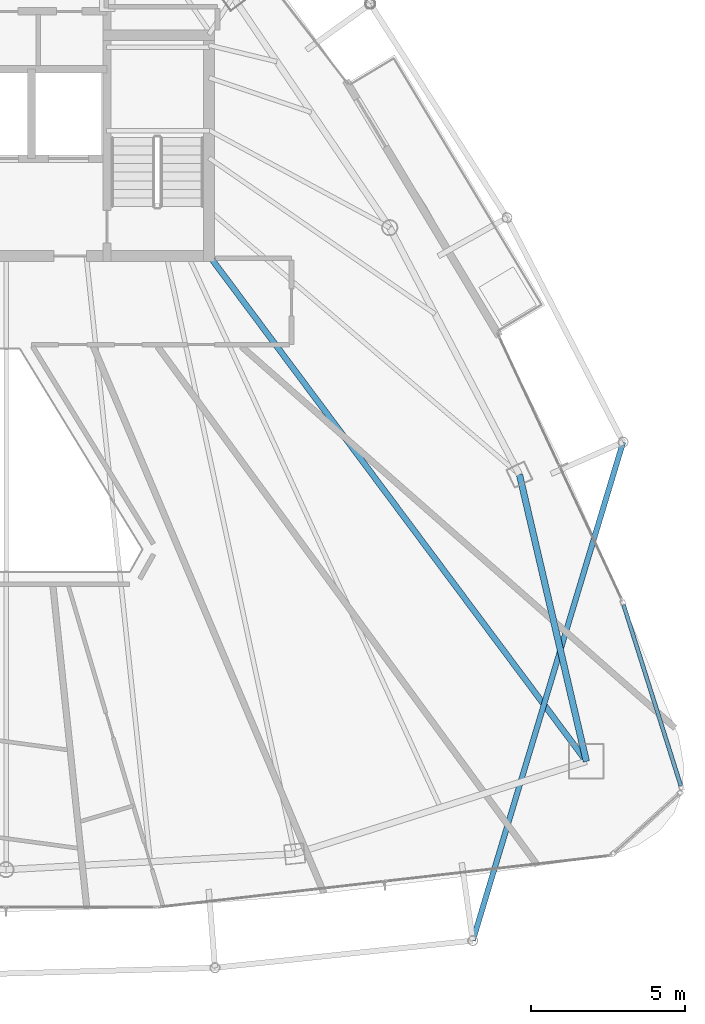
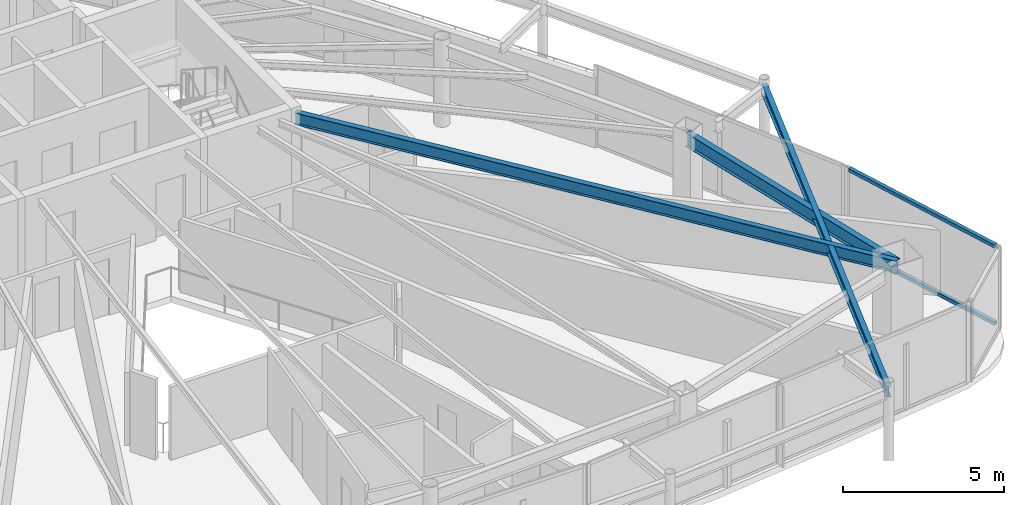
# One storey, part 15 of 28: 3 beams, 2 members, 1 element without a shape of its own.
"""IFC4 building model written with IfcOpenShell, lengths in metres."""

from ifc_helpers import new_model, si_unit, direction, frame, origin, origin_2d, place, context, subcontext, project, spatial, hollow_rectangle, i_section, extrude, material, layer, layer_set, material_profile, profile_set, type_object, element, aggregate, save


model = new_model("IFC4")

# Units and contexts
model_context = context("Model", 3, precision=1e-05, world=origin(), true_north=direction((0.0, 1.0)))
body_context = subcontext(model_context, "Body", "Model", "MODEL_VIEW")
ifc_project = project(units=[si_unit("LENGTHUNIT", "METRE"), si_unit("AREAUNIT", "SQUARE_METRE"), si_unit("VOLUMEUNIT", "CUBIC_METRE"), si_unit("PLANEANGLEUNIT", "RADIAN"), si_unit("MASSUNIT", "GRAM", prefix="KILO")], contexts=[model_context])

# Site, building, storey
site_placement = place(None, origin())
site = spatial("IfcSite", under=ifc_project, at=site_placement, CompositionType="ELEMENT")
building_placement = place(site_placement, origin())
building = spatial("IfcBuilding", under=site, at=building_placement, Name="Orvanel Arch Residences", CompositionType="ELEMENT")
storey_placement = place(building_placement, frame((0.0, 0.0, 263.449951171875)))
storey = spatial("IfcBuildingStorey", under=building, at=storey_placement, Name="L75", CompositionType="ELEMENT", Elevation=263.449951171875)

# Beams
ifc_material_1 = material(Name="Structural steel AS/NZS 3679.1 Grade 300 (300 MPa)", Category="steel")
ifc_material_profile_1 = material_profile(ifc_material_1, i_section(OverallWidth=0.19091796875, OverallDepth=0.4599609375, WebThickness=0.010009765625, FlangeThickness=0.01611328125, at=origin_2d()), Name="460UB82.1")
ifc_profile_set_1 = profile_set([ifc_material_profile_1], Name="Structural steel AS/NZS 3679.1 Grade 300 (300 MPa)")
beam_type_1 = type_object("IfcBeamType", Name="BG-460UB", PredefinedType="BEAM", material=ifc_profile_set_1)
beam_1_placement = place(storey_placement, frame((39.625, 26.675048828125, 2.830078125), z_axis=(0.597893733742, -0.801575375839, 0.0), x_axis=(0.801575375839, 0.597893733742, 0.0)))
element("IfcBeam", 1, at=beam_1_placement, inside=storey, type_object=beam_type_1, Name="L75 South-East Radial Girder", PredefinedType="BEAM", context=body_context, shape_type="SweptSolid", body=[
    extrude(i_section(OverallWidth=0.19091796875, OverallDepth=0.4599609375, WebThickness=0.010009765625, FlangeThickness=0.01611328125, at=origin_2d()), origin(), (0.0, 0.0, 1.0), 20.36474609375),
])
ifc_material_profile_2 = material_profile(ifc_material_1, i_section(OverallWidth=0.177978515625, OverallDepth=0.406005859375, WebThickness=0.0078125, FlangeThickness=0.0126953125, at=origin_2d()), Name="410UB59.7")
ifc_profile_set_2 = profile_set([ifc_material_profile_2], Name="Structural steel AS/NZS 3679.1 Grade 300 (300 MPa)")
beam_type_2 = type_object("IfcBeamType", Name="OB-410UB-EXT", PredefinedType="SPANDREL", material=ifc_profile_set_2)
beam_2_placement = place(storey_placement, frame((48.12109375, 4.5439453125, 2.85693359375), z_axis=(0.288681993316, 0.957425039747, 0.0), x_axis=(-0.957425039747, 0.288681993316, 0.0)))
element("IfcBeam", 2, at=beam_2_placement, inside=storey, type_object=beam_type_2, Name="L75 Outer Perimeter Floor Ring Beam 08", PredefinedType="SPANDREL", context=body_context, shape_type="SweptSolid", body=[
    extrude(i_section(OverallWidth=0.177978515625, OverallDepth=0.406005859375, WebThickness=0.0078125, FlangeThickness=0.0126953125, at=origin_2d()), origin(), (0.0, 0.0, 1.0), 16.869384765625),
])
ifc_material_profile_3 = material_profile(ifc_material_1, i_section(OverallWidth=0.208984375, OverallDepth=0.532958984375, WebThickness=0.01025390625, FlangeThickness=0.015625, at=origin_2d()), Name="530UB92.4")
ifc_profile_set_3 = profile_set([ifc_material_profile_3], Name="Structural steel AS/NZS 3679.1 Grade 300 (300 MPa)")
beam_type_3 = type_object("IfcBeamType", Name="SP-530UB", PredefinedType="SPANDREL", material=ifc_profile_set_3)
beam_3_placement = place(storey_placement, frame((51.801025390625, 10.35107421875, 2.79296875), z_axis=(-0.227236087167, 0.973839699688, 0.0), x_axis=(-0.973839699688, -0.227236087167, 0.0)))
element("IfcBeam", 3, at=beam_3_placement, inside=storey, type_object=beam_type_3, Name="L75 Perimeter Spandrel Beam 06", PredefinedType="SPANDREL", context=body_context, shape_type="SweptSolid", body=[
    extrude(i_section(OverallWidth=0.208984375, OverallDepth=0.532958984375, WebThickness=0.01025390625, FlangeThickness=0.015625, at=origin_2d()), origin(), (0.0, 0.0, 1.0), 9.54052734375),
])

# Curtain wall, members
ifc_material_2 = material(Name="Bronze-anodised aluminium AA6063-T6", Category="aluminium")
ifc_layer = layer(ifc_material_2, 0.18994140625)
ifc_layer_set = layer_set([ifc_layer], Name="Bronze-anodised aluminium AA6063-T6")
curtain_wall_type = type_object("IfcCurtainWallType", Name="CW5-CRN-SYS", PredefinedType="NOTDEFINED", material=ifc_layer_set)
curtain_wall_placement = place(storey_placement, origin())
curtain_wall = element("IfcCurtainWall", 4, at=curtain_wall_placement, inside=storey, type_object=curtain_wall_type, Name="L75 CW5-CRN-SYS Unitised Curtain Wall", PredefinedType="NOTDEFINED")
ifc_material_profile_4 = material_profile(ifc_material_2, hollow_rectangle(XDim=0.1298828125, YDim=0.1298828125, WallThickness=0.00439453125, at=origin_2d()), Name="ALU130x130x4.5")
ifc_profile_set_4 = profile_set([ifc_material_profile_4], Name="Bronze-anodised aluminium AA6063-T6")
member_type = type_object("IfcMemberType", Name="TRN-130x130", PredefinedType="USERDEFINED", material=ifc_profile_set_4)
member_1_placement = place(storey_placement, frame((54.86083984375, 9.56005859375, 0.06494140625), z_axis=(-0.301633045761, 0.953424095408, 0.0), x_axis=(-0.953424095408, -0.301633045761, 0.0)))
member_1 = element("IfcMember", 5, at=member_1_placement, type_object=member_type, Name="CW-S5 transom 1.1", ObjectType="TRANSOM", PredefinedType="USERDEFINED", context=body_context, shape_type="SweptSolid", body=[
    extrude(hollow_rectangle(XDim=0.1298828125, YDim=0.1298828125, WallThickness=0.00439453125, at=origin_2d()), origin(), (0.0, 0.0, 1.0), 6.148193359375),
])
member_2_placement = place(storey_placement, frame((54.86083984375, 9.56005859375, 2.9951171875), z_axis=(-0.301633045761, 0.953424095408, 0.0), x_axis=(-0.953424095408, -0.301633045761, 0.0)))
member_2 = element("IfcMember", 6, at=member_2_placement, type_object=member_type, Name="CW-S5 transom 1.2", ObjectType="TRANSOM", PredefinedType="USERDEFINED", context=body_context, shape_type="SweptSolid", body=[
    extrude(hollow_rectangle(XDim=0.1298828125, YDim=0.1298828125, WallThickness=0.00439453125, at=origin_2d()), origin(), (0.0, 0.0, 1.0), 6.148193359375),
])
aggregate(curtain_wall, [member_1, member_2])

save(model, "model.ifc")
